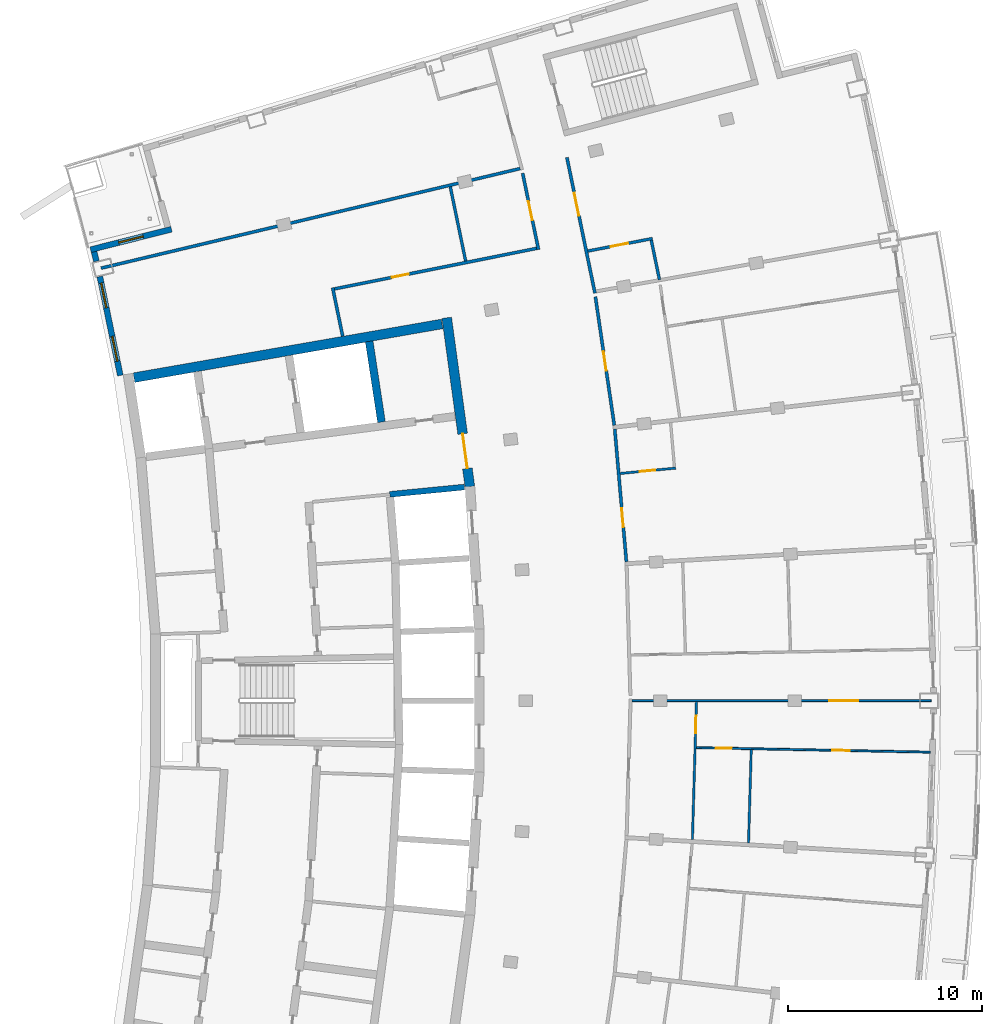
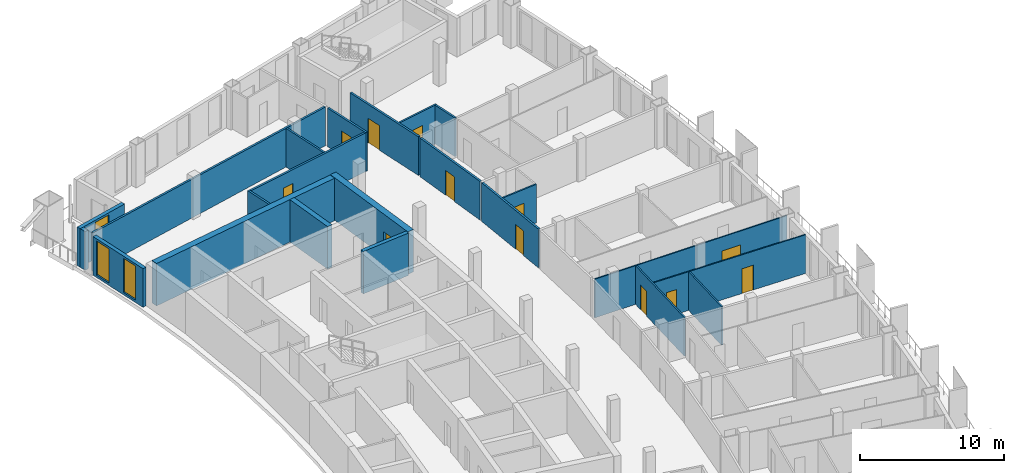
# One storey, part 11 of 17: 22 walls, 12 doors, 3 windows, 15 openings.
"""IFC4 building model written with IfcOpenShell, lengths in metres."""

from ifc_helpers import new_model, si_unit, direction, frame, frame_2d, origin, place, context, subcontext, project, spatial, rectangle, extrude, material, layer, layer_set, type_object, element, fill, save


model = new_model("IFC4")

# Units and contexts
model_context = context("Model", 3, precision=1e-05, world=origin(), true_north=direction((0.0, 1.0)))
body_context = subcontext(model_context, "Body", "Model", "MODEL_VIEW")
ifc_project = project(units=[si_unit("LENGTHUNIT", "METRE"), si_unit("AREAUNIT", "SQUARE_METRE"), si_unit("VOLUMEUNIT", "CUBIC_METRE"), si_unit("PLANEANGLEUNIT", "RADIAN"), si_unit("MASSUNIT", "GRAM", prefix="KILO")], contexts=[model_context])

# Site, building, storey
site_placement = place(None, origin())
site = spatial("IfcSite", under=ifc_project, at=site_placement, CompositionType="ELEMENT")
building_placement = place(site_placement, origin())
building = spatial("IfcBuilding", under=site, at=building_placement, Name="Alderwake Tower", CompositionType="ELEMENT")
storey_placement = place(building_placement, frame((0.0, 0.0, 260.0)))
storey = spatial("IfcBuildingStorey", under=building, at=storey_placement, Name="L64", CompositionType="ELEMENT", Elevation=260.0)

# Wall, opening, door
ifc_material_1 = material(Name="Concrete C70/85", Category="concrete")
ifc_layer_1 = layer(ifc_material_1, 0.5)
ifc_layer_set_1 = layer_set([ifc_layer_1], Name="Core wall outer 500 C70-85")
wall_type_1 = type_object("IfcWallType", Name="Core wall outer 500 C70-85", PredefinedType="SHEAR", material=ifc_layer_set_1)
wall_1_placement = place(storey_placement, frame((31.71728515625, 80.752685546875, 0.0), z_axis=(0.0, 0.0, 1.0), x_axis=(0.1358539401, -0.990728876615, 0.0)))
wall_1 = element("IfcWall", 1, at=wall_1_placement, inside=storey, type_object=wall_type_1, Name="Core wall CW.019", PredefinedType="SHEAR", context=body_context, shape_type="SweptSolid", body=[
    extrude(rectangle(XDim=8.794921875, YDim=0.5, at=frame_2d((4.3974609375, 0.0))), origin(), (0.0, 0.0, 1.0), 3.60009765625),
])
opening_1_placement = place(wall_1_placement, frame((6.0419921875, 0.0, 0.0)))
opening_1 = element("IfcOpeningElement", 2, at=opening_1_placement, cuts=wall_1, Name="Opening C001", PredefinedType="OPENING", context=body_context, shape_type="SweptSolid", body=[
    extrude(rectangle(XDim=1.800048828125, YDim=2.10009765625, at=frame_2d((0.89990234375, 1.050048828125))), frame((0.0, 0.260009765625, 0.0), z_axis=(0.0, -1.0, 0.0), x_axis=(1.0, 0.0, 0.0)), (0.0, 0.0, 1.0), 0.52001953125),
])
ifc_material_2 = material(Name="Steel-framed fire door leaves", Category="steel")
door_type_1 = type_object("IfcDoorType", Name="Core double door 1800 fire-rated", OperationType="DOUBLE_DOOR_SINGLE_SWING", PredefinedType="DOOR", material=ifc_material_2)
door_1_placement = place(opening_1_placement, origin())
door_1 = element("IfcDoor", 3, at=door_1_placement, inside=storey, type_object=door_type_1, Name="Lobby double door", OperationType="DOUBLE_DOOR_SINGLE_SWING", OverallHeight=2.10009765625, OverallWidth=1.800048828125, PredefinedType="DOOR", context=body_context, shape_type="SweptSolid", body=[
    extrude(rectangle(XDim=1.800048828125, YDim=2.10009765625, at=frame_2d((0.89990234375, 1.050048828125))), frame((0.0, 0.02490234375, 0.0), z_axis=(0.0, -1.0, 0.0), x_axis=(1.0, 0.0, 0.0)), (0.0, 0.0, 1.0), 0.050048828125),
])
fill(opening_1, door_1)

# Walls
wall_2_placement = place(storey_placement, frame((15.583251953125, 77.664306640625, 0.0), z_axis=(0.0, 0.0, 1.0), x_axis=(0.985139146221, 0.171758151429, 0.0)))
element("IfcWall", 4, at=wall_2_placement, inside=storey, type_object=wall_type_1, Name="Core wall CW.055", PredefinedType="SHEAR", context=body_context, shape_type="SweptSolid", body=[
    extrude(rectangle(XDim=16.134521484375, YDim=0.5, at=frame_2d((8.0673828125, 0.0))), origin(), (0.0, 0.0, 1.0), 3.60009765625),
])
ifc_material_3 = material(Name="Concrete C70/85", Category="concrete")
ifc_layer_2 = layer(ifc_material_3, 0.300048828125)
ifc_layer_set_2 = layer_set([ifc_layer_2], Name="Core wall shaft 300 C70-85")
wall_type_2 = type_object("IfcWallType", Name="Core wall shaft 300 C70-85", PredefinedType="SHEAR", material=ifc_layer_set_2)
wall_3_placement = place(storey_placement, frame((28.780517578125, 71.644287109375, 0.0), z_axis=(0.0, 0.0, 1.0), x_axis=(0.995244248631, 0.097410910928, 0.0)))
element("IfcWall", 5, at=wall_3_placement, inside=storey, type_object=wall_type_2, Name="Core wall CW.049", PredefinedType="SHEAR", context=body_context, shape_type="SweptSolid", body=[
    extrude(rectangle(XDim=3.86962890625, YDim=0.300048828125, at=frame_2d((1.934814453125, 0.0))), origin(), (0.0, 0.0, 1.0), 3.60009765625),
])
ifc_material_4 = material(Name="Concrete C70/85", Category="concrete")
ifc_layer_3 = layer(ifc_material_4, 0.39990234375)
ifc_layer_set_3 = layer_set([ifc_layer_3], Name="Core wall spine 400 C70-85")
wall_type_3 = type_object("IfcWallType", Name="Core wall spine 400 C70-85", PredefinedType="SHEAR", material=ifc_layer_set_3)
wall_4_placement = place(storey_placement, frame((28.350830078125, 75.373291015625, 0.0), z_axis=(0.0, 0.0, 1.0), x_axis=(-0.150576223774, 0.988598402201, 0.0)))
element("IfcWall", 6, at=wall_4_placement, inside=storey, type_object=wall_type_3, Name="Core wall CW.001", PredefinedType="SHEAR", context=body_context, shape_type="SweptSolid", body=[
    extrude(rectangle(XDim=4.21240234375, YDim=0.39990234375, at=frame_2d((2.106201171875, 0.0))), origin(), (0.0, 0.0, 1.0), 3.60009765625),
])
ifc_material_5 = material(Name="Gypsum board on metal studs, rated")
ifc_layer_4 = layer(ifc_material_5, 0.159912109375)
ifc_layer_set_4 = layer_set([ifc_layer_4], Name="Corridor wall 160")
wall_type_4 = type_object("IfcWallType", Name="Corridor wall 160", PredefinedType="PARTITIONING", material=ifc_layer_set_4)
wall_5_placement = place(storey_placement, frame((25.831787109375, 82.305419921875, 0.0), z_axis=(0.0, 0.0, 1.0), x_axis=(0.202450797205, -0.979292435747, 0.0)))
element("IfcWall", 7, at=wall_5_placement, inside=storey, type_object=wall_type_4, Name="WL/L64/W12", PredefinedType="PARTITIONING", context=body_context, shape_type="SweptSolid", body=[
    extrude(rectangle(XDim=2.555419921875, YDim=0.159912109375, at=frame_2d((1.27783203125, 0.0))), origin(), (0.0, 0.0, 1.0), 3.280029296875),
])
wall_6_placement = place(storey_placement, frame((35.502197265625, 88.451416015625, 0.0), z_axis=(0.0, 0.0, 1.0), x_axis=(-0.972894913244, -0.231247676278, 0.0)))
element("IfcWall", 8, at=wall_6_placement, inside=storey, type_object=wall_type_4, Name="WL/L64/W15", PredefinedType="PARTITIONING", context=body_context, shape_type="SweptSolid", body=[
    extrude(rectangle(XDim=22.220458984375, YDim=0.159912109375, at=frame_2d((11.1103515625, 0.0))), origin(), (0.0, 0.0, 1.0), 3.280029296875),
])

# Wall, opening, door
wall_7_placement = place(storey_placement, frame((36.451416015625, 84.272705078125, 0.0), z_axis=(0.0, 0.0, 1.0), x_axis=(-0.203258199701, 0.979125172924, 0.0)))
wall_7 = element("IfcWall", 9, at=wall_7_placement, inside=storey, type_object=wall_type_4, Name="WL/L64/W16", PredefinedType="PARTITIONING", context=body_context, shape_type="SweptSolid", body=[
    extrude(rectangle(XDim=4.020263671875, YDim=0.159912109375, at=frame_2d((2.01025390625, 0.0))), origin(), (0.0, 0.0, 1.0), 3.280029296875),
])
opening_2_placement = place(wall_7_placement, frame((1.549560546875, 0.0, 0.0)))
opening_2 = element("IfcOpeningElement", 10, at=opening_2_placement, cuts=wall_7, Name="Opening R18-SBN2", PredefinedType="OPENING", context=body_context, shape_type="SweptSolid", body=[
    extrude(rectangle(XDim=1.0, YDim=2.10009765625, at=frame_2d((0.5, 1.050048828125))), frame((0.0, 0.08984375, 0.0), z_axis=(0.0, -1.0, 0.0), x_axis=(1.0, 0.0, 0.0)), (0.0, 0.0, 1.0), 0.179931640625),
])
ifc_material_6 = material(Name="Steel-framed fire door leaf", Category="steel")
door_type_2 = type_object("IfcDoorType", Name="Plant room door 1000 fire-rated", OperationType="SINGLE_SWING_LEFT", PredefinedType="DOOR", material=ifc_material_6)
door_2_placement = place(opening_2_placement, origin())
door_2 = element("IfcDoor", 11, at=door_2_placement, inside=storey, type_object=door_type_2, Name="DR/L64/SBN2", OperationType="SINGLE_SWING_LEFT", OverallHeight=2.10009765625, OverallWidth=1.0, PredefinedType="DOOR", context=body_context, shape_type="SweptSolid", body=[
    extrude(rectangle(XDim=1.0, YDim=2.10009765625, at=frame_2d((0.5, 1.050048828125))), frame((0.0, 0.02490234375, 0.0), z_axis=(0.0, -1.0, 0.0), x_axis=(1.0, 0.0, 0.0)), (0.0, 0.0, 1.0), 0.050048828125),
])
fill(opening_2, door_2)

wall_8_placement = place(storey_placement, frame((25.926513671875, 82.24267578125, 0.0), z_axis=(0.0, 0.0, 1.0), x_axis=(0.98046310274, 0.196703086316, 0.0)))
wall_8 = element("IfcWall", 12, at=wall_8_placement, inside=storey, type_object=wall_type_4, Name="WL/L64/W18", PredefinedType="PARTITIONING", context=body_context, shape_type="SweptSolid", body=[
    extrude(rectangle(XDim=10.637939453125, YDim=0.159912109375, at=frame_2d((5.31884765625, 0.0))), origin(), (0.0, 0.0, 1.0), 3.280029296875),
])
opening_3_placement = place(wall_8_placement, frame((3.009033203125, 0.0, 0.0)))
opening_3 = element("IfcOpeningElement", 13, at=opening_3_placement, cuts=wall_8, Name="Opening R18-SBN1", PredefinedType="OPENING", context=body_context, shape_type="SweptSolid", body=[
    extrude(rectangle(XDim=0.89990234375, YDim=2.10009765625, at=frame_2d((0.449951171875, 1.050048828125))), frame((0.0, 0.08984375, 0.0), z_axis=(0.0, -1.0, 0.0), x_axis=(1.0, 0.0, 0.0)), (0.0, 0.0, 1.0), 0.179931640625),
])
ifc_material_7 = material(Name="Painted timber leaf", Category="wood")
door_type_3 = type_object("IfcDoorType", Name="Room door 900", OperationType="SINGLE_SWING_LEFT", PredefinedType="DOOR", material=ifc_material_7)
door_3_placement = place(opening_3_placement, origin())
door_3 = element("IfcDoor", 14, at=door_3_placement, inside=storey, type_object=door_type_3, Name="DR/L64/SBN1", OperationType="SINGLE_SWING_LEFT", OverallHeight=2.10009765625, OverallWidth=0.89990234375, PredefinedType="DOOR", context=body_context, shape_type="SweptSolid", body=[
    extrude(rectangle(XDim=0.89990234375, YDim=2.10009765625, at=frame_2d((0.449951171875, 1.050048828125))), frame((0.0, 0.02490234375, 0.0), z_axis=(0.0, -1.0, 0.0), x_axis=(1.0, 0.0, 0.0)), (0.0, 0.0, 1.0), 0.050048828125),
])
fill(opening_3, door_3)

wall_9_placement = place(storey_placement, frame((37.9169921875, 89.02490234375, 0.0), z_axis=(0.0, 0.0, 1.0), x_axis=(0.202409142021, -0.979301046271, 0.0)))
wall_9 = element("IfcWall", 15, at=wall_9_placement, inside=storey, type_object=wall_type_4, Name="WL/L64/W21", PredefinedType="PARTITIONING", context=body_context, shape_type="SweptSolid", body=[
    extrude(rectangle(XDim=7.150146484375, YDim=0.159912109375, at=frame_2d((3.5751953125, 0.0))), origin(), (0.0, 0.0, 1.0), 3.280029296875),
])
opening_4_placement = place(wall_9_placement, frame((1.874755859375, 0.0, 0.0)))
opening_4 = element("IfcOpeningElement", 16, at=opening_4_placement, cuts=wall_9, Name="Opening R18-AM1.1", PredefinedType="OPENING", context=body_context, shape_type="SweptSolid", body=[
    extrude(rectangle(XDim=1.199951171875, YDim=2.10009765625, at=frame_2d((0.60009765625, 1.050048828125))), frame((0.0, 0.08984375, 0.0), z_axis=(0.0, -1.0, 0.0), x_axis=(1.0, 0.0, 0.0)), (0.0, 0.0, 1.0), 0.179931640625),
])
ifc_material_8 = material(Name="Steel-framed fire door leaf", Category="steel")
door_type_4 = type_object("IfcDoorType", Name="Lobby door 1200 fire-rated", OperationType="SINGLE_SWING_LEFT", PredefinedType="DOOR", material=ifc_material_8)
door_4_placement = place(opening_4_placement, origin())
door_4 = element("IfcDoor", 17, at=door_4_placement, inside=storey, type_object=door_type_4, Name="DR/L64/AM1.1", OperationType="SINGLE_SWING_LEFT", OverallHeight=2.10009765625, OverallWidth=1.199951171875, PredefinedType="DOOR", context=body_context, shape_type="SweptSolid", body=[
    extrude(rectangle(XDim=1.199951171875, YDim=2.10009765625, at=frame_2d((0.60009765625, 1.050048828125))), frame((0.0, 0.02490234375, 0.0), z_axis=(0.0, -1.0, 0.0), x_axis=(1.0, 0.0, 0.0)), (0.0, 0.0, 1.0), 0.050048828125),
])
fill(opening_4, door_4)

wall_10_placement = place(storey_placement, frame((39.38671875, 81.837158203125, 0.0), z_axis=(0.0, 0.0, 1.0), x_axis=(0.145576845789, -0.989346947218, 0.0)))
wall_10 = element("IfcWall", 18, at=wall_10_placement, inside=storey, type_object=wall_type_4, Name="WL/L64/W23", PredefinedType="PARTITIONING", context=body_context, shape_type="SweptSolid", body=[
    extrude(rectangle(XDim=6.701416015625, YDim=0.159912109375, at=frame_2d((3.3505859375, 0.0))), origin(), (0.0, 0.0, 1.0), 3.280029296875),
])
opening_5_placement = place(wall_10_placement, frame((2.850830078125, 0.0, 0.0)))
opening_5 = element("IfcOpeningElement", 19, at=opening_5_placement, cuts=wall_10, Name="Opening R18-U07.1", PredefinedType="OPENING", context=body_context, shape_type="SweptSolid", body=[
    extrude(rectangle(XDim=1.0, YDim=2.10009765625, at=frame_2d((0.5, 1.050048828125))), frame((0.0, 0.08984375, 0.0), z_axis=(0.0, -1.0, 0.0), x_axis=(1.0, 0.0, 0.0)), (0.0, 0.0, 1.0), 0.179931640625),
])
ifc_material_9 = material(Name="Solid timber leaf in steel frame", Category="steel")
door_type_5 = type_object("IfcDoorType", Name="Flat entrance door 1000 fire-rated", OperationType="SINGLE_SWING_LEFT", PredefinedType="DOOR", material=ifc_material_9)
door_5_placement = place(opening_5_placement, origin())
door_5 = element("IfcDoor", 20, at=door_5_placement, inside=storey, type_object=door_type_5, Name="DR/L64/U07.1", OperationType="SINGLE_SWING_LEFT", OverallHeight=2.10009765625, OverallWidth=1.0, PredefinedType="DOOR", context=body_context, shape_type="SweptSolid", body=[
    extrude(rectangle(XDim=1.0, YDim=2.10009765625, at=frame_2d((0.5, 1.050048828125))), frame((0.0, 0.02490234375, 0.0), z_axis=(0.0, -1.0, 0.0), x_axis=(1.0, 0.0, 0.0)), (0.0, 0.0, 1.0), 0.050048828125),
])
fill(opening_5, door_5)

wall_11_placement = place(storey_placement, frame((40.3857421875, 75.00830078125, 0.0), z_axis=(0.0, 0.0, 1.0), x_axis=(0.087448731147, -0.996169021512, 0.0)))
wall_11 = element("IfcWall", 21, at=wall_11_placement, inside=storey, type_object=wall_type_4, Name="WL/L64/W25", PredefinedType="PARTITIONING", context=body_context, shape_type="SweptSolid", body=[
    extrude(rectangle(XDim=6.867919921875, YDim=0.159912109375, at=frame_2d((3.43408203125, 0.0))), origin(), (0.0, 0.0, 1.0), 3.280029296875),
])
opening_6_placement = place(wall_11_placement, frame((4.085693359375, 0.0, 0.0)))
opening_6 = element("IfcOpeningElement", 22, at=opening_6_placement, cuts=wall_11, Name="Opening R18-U06.1", PredefinedType="OPENING", context=body_context, shape_type="SweptSolid", body=[
    extrude(rectangle(XDim=1.0, YDim=2.10009765625, at=frame_2d((0.5, 1.050048828125))), frame((0.0, 0.08984375, 0.0), z_axis=(0.0, -1.0, 0.0), x_axis=(1.0, 0.0, 0.0)), (0.0, 0.0, 1.0), 0.179931640625),
])
door_6_placement = place(opening_6_placement, origin())
door_6 = element("IfcDoor", 23, at=door_6_placement, inside=storey, type_object=door_type_5, Name="DR/L64/U06.1", OperationType="SINGLE_SWING_LEFT", OverallHeight=2.10009765625, OverallWidth=1.0, PredefinedType="DOOR", context=body_context, shape_type="SweptSolid", body=[
    extrude(rectangle(XDim=1.0, YDim=2.10009765625, at=frame_2d((0.5, 1.050048828125))), frame((0.0, 0.02490234375, 0.0), z_axis=(0.0, -1.0, 0.0), x_axis=(1.0, 0.0, 0.0)), (0.0, 0.0, 1.0), 0.050048828125),
])
fill(opening_6, door_6)

# Wall
ifc_material_10 = material(Name="Precast concrete C50/60 spandrel panel", Category="concrete")
ifc_layer_5 = layer(ifc_material_10, 0.300048828125)
ifc_layer_set_5 = layer_set([ifc_layer_5], Name="External wall EW1 Precast concrete C50/60 spandrel")
wall_type_5 = type_object("IfcWallType", Name="External wall EW1 Precast concrete C50/60 spandrel", PredefinedType="SOLIDWALL", material=ifc_layer_set_5)
wall_12_placement = place(storey_placement, frame((13.523193359375, 84.1572265625, 0.0), z_axis=(0.0, 0.0, 1.0), x_axis=(0.238653145818, -0.971104873838, 0.0)))
element("IfcWall", 24, at=wall_12_placement, inside=storey, type_object=wall_type_5, Name="External wall 30", PredefinedType="SOLIDWALL", context=body_context, shape_type="SweptSolid", body=[
    extrude(rectangle(XDim=0.50341796875, YDim=0.300048828125, at=frame_2d((0.251708984375, 0.0))), origin(), (0.0, 0.0, 1.0), 3.280029296875),
])

# Wall, openings, windows
wall_13_placement = place(storey_placement, frame((13.821533203125, 82.879638671875, 0.0), z_axis=(0.0, 0.0, 1.0), x_axis=(0.202760516883, -0.979228355795, 0.0)))
wall_13 = element("IfcWall", 25, at=wall_13_placement, inside=storey, type_object=wall_type_5, Name="External wall 31", PredefinedType="SOLIDWALL", context=body_context, shape_type="SweptSolid", body=[
    extrude(rectangle(XDim=5.211181640625, YDim=0.300048828125, at=frame_2d((2.60546875, 0.0))), origin(), (0.0, 0.0, 1.0), 3.280029296875),
])
opening_7_placement = place(wall_13_placement, frame((0.342041015625, 0.0, 0.199951171875)))
opening_7 = element("IfcOpeningElement", 26, at=opening_7_placement, cuts=wall_13, Name="Opening W1", PredefinedType="OPENING", context=body_context, shape_type="SweptSolid", body=[
    extrude(rectangle(XDim=1.300048828125, YDim=2.89990234375, at=frame_2d((0.64990234375, 1.449951171875))), frame((0.0, 0.159912109375, 0.0), z_axis=(0.0, -1.0, 0.0), x_axis=(1.0, 0.0, 0.0)), (0.0, 0.0, 1.0), 0.320068359375),
])
opening_8_placement = place(wall_13_placement, frame((3.15478515625, 0.0, 0.199951171875)))
opening_8 = element("IfcOpeningElement", 27, at=opening_8_placement, cuts=wall_13, Name="Opening W1", PredefinedType="OPENING", context=body_context, shape_type="SweptSolid", body=[
    extrude(rectangle(XDim=1.300048828125, YDim=2.89990234375, at=frame_2d((0.64990234375, 1.449951171875))), frame((0.0, 0.159912109375, 0.0), z_axis=(0.0, -1.0, 0.0), x_axis=(1.0, 0.0, 0.0)), (0.0, 0.0, 1.0), 0.320068359375),
])
ifc_material_11 = material(Name="Bronze tinted glass in aluminium frame", Category="aluminium")
window_type = type_object("IfcWindowType", Name="Window W1 tall fixed and vent", PartitioningType="DOUBLE_PANEL_VERTICAL", PredefinedType="WINDOW", material=ifc_material_11)
window_1_placement = place(opening_7_placement, origin())
window_1 = element("IfcWindow", 28, at=window_1_placement, inside=storey, type_object=window_type, Name="Window W1 tall fixed and vent", OverallHeight=2.89990234375, OverallWidth=1.300048828125, PartitioningType="DOUBLE_PANEL_VERTICAL", PredefinedType="WINDOW", context=body_context, shape_type="SweptSolid", body=[
    extrude(rectangle(XDim=1.300048828125, YDim=2.89990234375, at=frame_2d((0.64990234375, 1.449951171875))), frame((0.0, 0.030029296875, 0.0), z_axis=(0.0, -1.0, 0.0), x_axis=(1.0, 0.0, 0.0)), (0.0, 0.0, 1.0), 0.06005859375),
])
fill(opening_7, window_1)
window_2_placement = place(opening_8_placement, origin())
window_2 = element("IfcWindow", 29, at=window_2_placement, inside=storey, type_object=window_type, Name="Window W1 tall fixed and vent", OverallHeight=2.89990234375, OverallWidth=1.300048828125, PartitioningType="DOUBLE_PANEL_VERTICAL", PredefinedType="WINDOW", context=body_context, shape_type="SweptSolid", body=[
    extrude(rectangle(XDim=1.300048828125, YDim=2.89990234375, at=frame_2d((0.64990234375, 1.449951171875))), frame((0.0, 0.030029296875, 0.0), z_axis=(0.0, -1.0, 0.0), x_axis=(1.0, 0.0, 0.0)), (0.0, 0.0, 1.0), 0.06005859375),
])
fill(opening_8, window_2)

# Wall, opening, window
ifc_material_12 = material(Name="Bronze metal cladding on lightweight framing")
ifc_layer_6 = layer(ifc_material_12, 0.300048828125)
ifc_layer_set_6 = layer_set([ifc_layer_6], Name="External wall EW2 bronze metal cladding")
wall_type_6 = type_object("IfcWallType", Name="External wall EW2 bronze metal cladding", PredefinedType="SOLIDWALL", material=ifc_layer_set_6)
wall_14_placement = place(storey_placement, frame((17.51611328125, 85.32275390625, 0.0), z_axis=(0.0, 0.0, 1.0), x_axis=(-0.969417740682, -0.245416470617, 0.0)))
wall_14 = element("IfcWall", 30, at=wall_14_placement, inside=storey, type_object=wall_type_6, Name="External wall 29", PredefinedType="SOLIDWALL", context=body_context, shape_type="SweptSolid", body=[
    extrude(rectangle(XDim=4.305419921875, YDim=0.300048828125, at=frame_2d((2.15283203125, 0.0))), origin(), (0.0, 0.0, 1.0), 3.280029296875),
])
opening_9_placement = place(wall_14_placement, frame((1.502685546875, 0.0, 0.199951171875)))
opening_9 = element("IfcOpeningElement", 31, at=opening_9_placement, cuts=wall_14, Name="Opening W1", PredefinedType="OPENING", context=body_context, shape_type="SweptSolid", body=[
    extrude(rectangle(XDim=1.300048828125, YDim=2.89990234375, at=frame_2d((0.64990234375, 1.449951171875))), frame((0.0, 0.159912109375, 0.0), z_axis=(0.0, -1.0, 0.0), x_axis=(1.0, 0.0, 0.0)), (0.0, 0.0, 1.0), 0.320068359375),
])
window_3_placement = place(opening_9_placement, origin())
window_3 = element("IfcWindow", 32, at=window_3_placement, inside=storey, type_object=window_type, Name="Window W1 tall fixed and vent", OverallHeight=2.89990234375, OverallWidth=1.300048828125, PartitioningType="DOUBLE_PANEL_VERTICAL", PredefinedType="WINDOW", context=body_context, shape_type="SweptSolid", body=[
    extrude(rectangle(XDim=1.300048828125, YDim=2.89990234375, at=frame_2d((0.64990234375, 1.449951171875))), frame((0.0, 0.030029296875, 0.0), z_axis=(0.0, -1.0, 0.0), x_axis=(1.0, 0.0, 0.0)), (0.0, 0.0, 1.0), 0.06005859375),
])
fill(opening_9, window_3)

# Wall
ifc_material_13 = material(Name="Gypsum shaft wall system, rated")
ifc_layer_7 = layer(ifc_material_13, 0.14990234375)
ifc_layer_set_7 = layer_set([ifc_layer_7], Name="Riser and shaft wall 150")
wall_type_7 = type_object("IfcWallType", Name="Riser and shaft wall 150", PredefinedType="PARTITIONING", material=ifc_layer_set_7)
wall_15_placement = place(storey_placement, frame((32.69287109375, 83.682373046875, 0.0), z_axis=(0.0, 0.0, 1.0), x_axis=(-0.20266545775, 0.979248034073, 0.0)))
element("IfcWall", 33, at=wall_15_placement, inside=storey, type_object=wall_type_7, Name="WL/L64/W06", PredefinedType="PARTITIONING", context=body_context, shape_type="SweptSolid", body=[
    extrude(rectangle(XDim=3.911376953125, YDim=0.14990234375, at=frame_2d((1.95556640625, 0.0))), origin(), (0.0, 0.0, 1.0), 3.280029296875),
])

# Wall, opening, door
wall_16_placement = place(storey_placement, frame((42.32861328125, 84.84228515625, 0.0), z_axis=(0.0, 0.0, 1.0), x_axis=(-0.981655808185, -0.190661674853, 0.0)))
wall_16 = element("IfcWall", 34, at=wall_16_placement, inside=storey, type_object=wall_type_7, Name="WL/L64/W07", PredefinedType="PARTITIONING", context=body_context, shape_type="SweptSolid", body=[
    extrude(rectangle(XDim=3.393310546875, YDim=0.14990234375, at=frame_2d((1.69677734375, 0.0))), origin(), (0.0, 0.0, 1.0), 3.280029296875),
])
opening_10_placement = place(wall_16_placement, frame((1.2841796875, 0.0, 0.0)))
opening_10 = element("IfcOpeningElement", 35, at=opening_10_placement, cuts=wall_16, Name="Opening R18-AM1.2", PredefinedType="OPENING", context=body_context, shape_type="SweptSolid", body=[
    extrude(rectangle(XDim=0.89990234375, YDim=2.10009765625, at=frame_2d((0.449951171875, 1.050048828125))), frame((0.0, 0.0849609375, 0.0), z_axis=(0.0, -1.0, 0.0), x_axis=(1.0, 0.0, 0.0)), (0.0, 0.0, 1.0), 0.169921875),
])
door_7_placement = place(opening_10_placement, origin())
door_7 = element("IfcDoor", 36, at=door_7_placement, inside=storey, type_object=door_type_3, Name="DR/L64/AM1.2", OperationType="SINGLE_SWING_LEFT", OverallHeight=2.10009765625, OverallWidth=0.89990234375, PredefinedType="DOOR", context=body_context, shape_type="SweptSolid", body=[
    extrude(rectangle(XDim=0.89990234375, YDim=2.10009765625, at=frame_2d((0.449951171875, 1.050048828125))), frame((0.0, 0.02490234375, 0.0), z_axis=(0.0, -1.0, 0.0), x_axis=(1.0, 0.0, 0.0)), (0.0, 0.0, 1.0), 0.050048828125),
])
fill(opening_10, door_7)

# Wall
wall_17_placement = place(storey_placement, frame((42.69189453125, 82.714599609375, 0.0), z_axis=(0.0, 0.0, 1.0), x_axis=(-0.202423435623, 0.979298091855, 0.0)))
element("IfcWall", 37, at=wall_17_placement, inside=storey, type_object=wall_type_7, Name="WL/L64/W08", PredefinedType="PARTITIONING", context=body_context, shape_type="SweptSolid", body=[
    extrude(rectangle(XDim=2.0830078125, YDim=0.14990234375, at=frame_2d((1.04150390625, 0.0))), origin(), (0.0, 0.0, 1.0), 3.280029296875),
])

# Wall, opening, door
ifc_material_14 = material(Name="Gypsum board on metal studs")
ifc_layer_8 = layer(ifc_material_14, 0.10009765625)
ifc_layer_set_8 = layer_set([ifc_layer_8], Name="Unit partition 100")
wall_type_8 = type_object("IfcWallType", Name="Unit partition 100", PredefinedType="PARTITIONING", material=ifc_layer_set_8)
wall_18_placement = place(storey_placement, frame((41.279052734375, 60.9990234375, 0.0), z_axis=(0.0, 0.0, 1.0), x_axis=(1.0, 0.0, 0.0)))
wall_18 = element("IfcWall", 38, at=wall_18_placement, inside=storey, type_object=wall_type_8, Name="WL/L64/W47", PredefinedType="PARTITIONING", context=body_context, shape_type="SweptSolid", body=[
    extrude(rectangle(XDim=15.4208984375, YDim=0.10009765625, at=frame_2d((7.71044921875, 0.0))), origin(), (0.0, 0.0, 1.0), 3.280029296875),
])
opening_11_placement = place(wall_18_placement, frame((10.1748046875, 0.0, 0.0)))
opening_11 = element("IfcOpeningElement", 39, at=opening_11_placement, cuts=wall_18, Name="Opening R18-U05.8", PredefinedType="OPENING", context=body_context, shape_type="SweptSolid", body=[
    extrude(rectangle(XDim=1.5, YDim=2.10009765625, at=frame_2d((0.75, 1.050048828125))), frame((0.0, 0.06005859375, 0.0), z_axis=(0.0, -1.0, 0.0), x_axis=(1.0, 0.0, 0.0)), (0.0, 0.0, 1.0), 0.1201171875),
])
ifc_material_15 = material(Name="Painted timber leaves", Category="wood")
door_type_6 = type_object("IfcDoorType", Name="Double leaf door 1500", OperationType="DOUBLE_DOOR_SINGLE_SWING", PredefinedType="DOOR", material=ifc_material_15)
door_8_placement = place(opening_11_placement, origin())
door_8 = element("IfcDoor", 40, at=door_8_placement, inside=storey, type_object=door_type_6, Name="DR/L64/U05.8", OperationType="DOUBLE_DOOR_SINGLE_SWING", OverallHeight=2.10009765625, OverallWidth=1.5, PredefinedType="DOOR", context=body_context, shape_type="SweptSolid", body=[
    extrude(rectangle(XDim=1.5, YDim=2.10009765625, at=frame_2d((0.75, 1.050048828125))), frame((0.0, 0.02490234375, 0.0), z_axis=(0.0, -1.0, 0.0), x_axis=(1.0, 0.0, 0.0)), (0.0, 0.0, 1.0), 0.050048828125),
])
fill(opening_11, door_8)

# Wall, openings, doors
wall_19_placement = place(storey_placement, frame((56.669921875, 58.343994140625, 0.0), z_axis=(0.0, 0.0, 1.0), x_axis=(-0.999814205154, 0.01927576646, 0.0)))
wall_19 = element("IfcWall", 41, at=wall_19_placement, inside=storey, type_object=wall_type_8, Name="WL/L64/W51", PredefinedType="PARTITIONING", context=body_context, shape_type="SweptSolid", body=[
    extrude(rectangle(XDim=12.0830078125, YDim=0.10009765625, at=frame_2d((6.04150390625, 0.0))), origin(), (0.0, 0.0, 1.0), 3.280029296875),
])
opening_12_placement = place(wall_19_placement, frame((10.263671875, 0.0, 0.0)))
opening_12 = element("IfcOpeningElement", 42, at=opening_12_placement, cuts=wall_19, Name="Opening R18-U05.3", PredefinedType="OPENING", context=body_context, shape_type="SweptSolid", body=[
    extrude(rectangle(XDim=0.800048828125, YDim=2.10009765625, at=frame_2d((0.39990234375, 1.050048828125))), frame((0.0, 0.06005859375, 0.0), z_axis=(0.0, -1.0, 0.0), x_axis=(1.0, 0.0, 0.0)), (0.0, 0.0, 1.0), 0.1201171875),
])
opening_13_placement = place(wall_19_placement, frame((4.172119140625, 0.0, 0.0)))
opening_13 = element("IfcOpeningElement", 43, at=opening_13_placement, cuts=wall_19, Name="Opening R18-U05.4", PredefinedType="OPENING", context=body_context, shape_type="SweptSolid", body=[
    extrude(rectangle(XDim=0.89990234375, YDim=2.10009765625, at=frame_2d((0.449951171875, 1.050048828125))), frame((0.0, 0.06005859375, 0.0), z_axis=(0.0, -1.0, 0.0), x_axis=(1.0, 0.0, 0.0)), (0.0, 0.0, 1.0), 0.1201171875),
])
ifc_material_16 = material(Name="Painted timber leaf", Category="wood")
door_type_7 = type_object("IfcDoorType", Name="Bathroom door 800", OperationType="SINGLE_SWING_LEFT", PredefinedType="DOOR", material=ifc_material_16)
door_9_placement = place(opening_12_placement, origin())
door_9 = element("IfcDoor", 44, at=door_9_placement, inside=storey, type_object=door_type_7, Name="DR/L64/U05.3", OperationType="SINGLE_SWING_LEFT", OverallHeight=2.10009765625, OverallWidth=0.800048828125, PredefinedType="DOOR", context=body_context, shape_type="SweptSolid", body=[
    extrude(rectangle(XDim=0.800048828125, YDim=2.10009765625, at=frame_2d((0.39990234375, 1.050048828125))), frame((0.0, 0.02490234375, 0.0), z_axis=(0.0, -1.0, 0.0), x_axis=(1.0, 0.0, 0.0)), (0.0, 0.0, 1.0), 0.050048828125),
])
fill(opening_12, door_9)
door_10_placement = place(opening_13_placement, origin())
door_10 = element("IfcDoor", 45, at=door_10_placement, inside=storey, type_object=door_type_3, Name="DR/L64/U05.4", OperationType="SINGLE_SWING_LEFT", OverallHeight=2.10009765625, OverallWidth=0.89990234375, PredefinedType="DOOR", context=body_context, shape_type="SweptSolid", body=[
    extrude(rectangle(XDim=0.89990234375, YDim=2.10009765625, at=frame_2d((0.449951171875, 1.050048828125))), frame((0.0, 0.02490234375, 0.0), z_axis=(0.0, -1.0, 0.0), x_axis=(1.0, 0.0, 0.0)), (0.0, 0.0, 1.0), 0.050048828125),
])
fill(opening_13, door_10)

# Wall, opening, door
ifc_material_17 = material(Name="Moisture resistant gypsum board on metal studs")
ifc_layer_9 = layer(ifc_material_17, 0.1201171875)
ifc_layer_set_9 = layer_set([ifc_layer_9], Name="Wet room partition 120")
wall_type_9 = type_object("IfcWallType", Name="Wet room partition 120", PredefinedType="PARTITIONING", material=ifc_layer_set_9)
wall_20_placement = place(storey_placement, frame((40.66650390625, 72.7216796875, 0.0), z_axis=(0.0, 0.0, 1.0), x_axis=(0.995349751069, 0.096326907185, 0.0)))
wall_20 = element("IfcWall", 46, at=wall_20_placement, inside=storey, type_object=wall_type_9, Name="WL/L64/W32", PredefinedType="PARTITIONING", context=body_context, shape_type="SweptSolid", body=[
    extrude(rectangle(XDim=2.876708984375, YDim=0.1201171875, at=frame_2d((1.4384765625, 0.0))), origin(), (0.0, 0.0, 1.0), 3.280029296875),
])
opening_14_placement = place(wall_20_placement, frame((1.009033203125, 0.0, 0.0)))
opening_14 = element("IfcOpeningElement", 47, at=opening_14_placement, cuts=wall_20, Name="Opening R18-U06.2", PredefinedType="OPENING", context=body_context, shape_type="SweptSolid", body=[
    extrude(rectangle(XDim=0.800048828125, YDim=2.10009765625, at=frame_2d((0.39990234375, 1.050048828125))), frame((0.0, 0.070068359375, 0.0), z_axis=(0.0, -1.0, 0.0), x_axis=(1.0, 0.0, 0.0)), (0.0, 0.0, 1.0), 0.14013671875),
])
door_11_placement = place(opening_14_placement, origin())
door_11 = element("IfcDoor", 48, at=door_11_placement, inside=storey, type_object=door_type_7, Name="DR/L64/U06.2", OperationType="SINGLE_SWING_LEFT", OverallHeight=2.10009765625, OverallWidth=0.800048828125, PredefinedType="DOOR", context=body_context, shape_type="SweptSolid", body=[
    extrude(rectangle(XDim=0.800048828125, YDim=2.10009765625, at=frame_2d((0.39990234375, 1.050048828125))), frame((0.0, 0.02490234375, 0.0), z_axis=(0.0, -1.0, 0.0), x_axis=(1.0, 0.0, 0.0)), (0.0, 0.0, 1.0), 0.050048828125),
])
fill(opening_14, door_11)

wall_21_placement = place(storey_placement, frame((44.599609375, 60.948974609375, 0.0), z_axis=(0.0, 0.0, 1.0), x_axis=(-0.029333519004, -0.999569679744, 0.0)))
wall_21 = element("IfcWall", 49, at=wall_21_placement, inside=storey, type_object=wall_type_9, Name="WL/L64/W40", PredefinedType="PARTITIONING", context=body_context, shape_type="SweptSolid", body=[
    extrude(rectangle(XDim=7.1162109375, YDim=0.1201171875, at=frame_2d((3.55810546875, 0.0))), origin(), (0.0, 0.0, 1.0), 3.280029296875),
])
opening_15_placement = place(wall_21_placement, frame((0.735595703125, 0.0, 0.0)))
opening_15 = element("IfcOpeningElement", 50, at=opening_15_placement, cuts=wall_21, Name="Opening R18-U05.2", PredefinedType="OPENING", context=body_context, shape_type="SweptSolid", body=[
    extrude(rectangle(XDim=0.89990234375, YDim=2.10009765625, at=frame_2d((0.449951171875, 1.050048828125))), frame((0.0, 0.070068359375, 0.0), z_axis=(0.0, -1.0, 0.0), x_axis=(1.0, 0.0, 0.0)), (0.0, 0.0, 1.0), 0.14013671875),
])
door_12_placement = place(opening_15_placement, origin())
door_12 = element("IfcDoor", 51, at=door_12_placement, inside=storey, type_object=door_type_3, Name="DR/L64/U05.2", OperationType="SINGLE_SWING_LEFT", OverallHeight=2.10009765625, OverallWidth=0.89990234375, PredefinedType="DOOR", context=body_context, shape_type="SweptSolid", body=[
    extrude(rectangle(XDim=0.89990234375, YDim=2.10009765625, at=frame_2d((0.449951171875, 1.050048828125))), frame((0.0, 0.02490234375, 0.0), z_axis=(0.0, -1.0, 0.0), x_axis=(1.0, 0.0, 0.0)), (0.0, 0.0, 1.0), 0.050048828125),
])
fill(opening_15, door_12)

# Wall
wall_22_placement = place(storey_placement, frame((47.285888671875, 53.66796875, 0.0), z_axis=(0.0, 0.0, 1.0), x_axis=(0.029063100448, 0.999577578876, 0.0)))
element("IfcWall", 52, at=wall_22_placement, inside=storey, type_object=wall_type_9, Name="WL/L64/W43", PredefinedType="PARTITIONING", context=body_context, shape_type="SweptSolid", body=[
    extrude(rectangle(XDim=4.804931640625, YDim=0.1201171875, at=frame_2d((2.40234375, 0.0))), origin(), (0.0, 0.0, 1.0), 3.280029296875),
])

save(model, "model.ifc")
